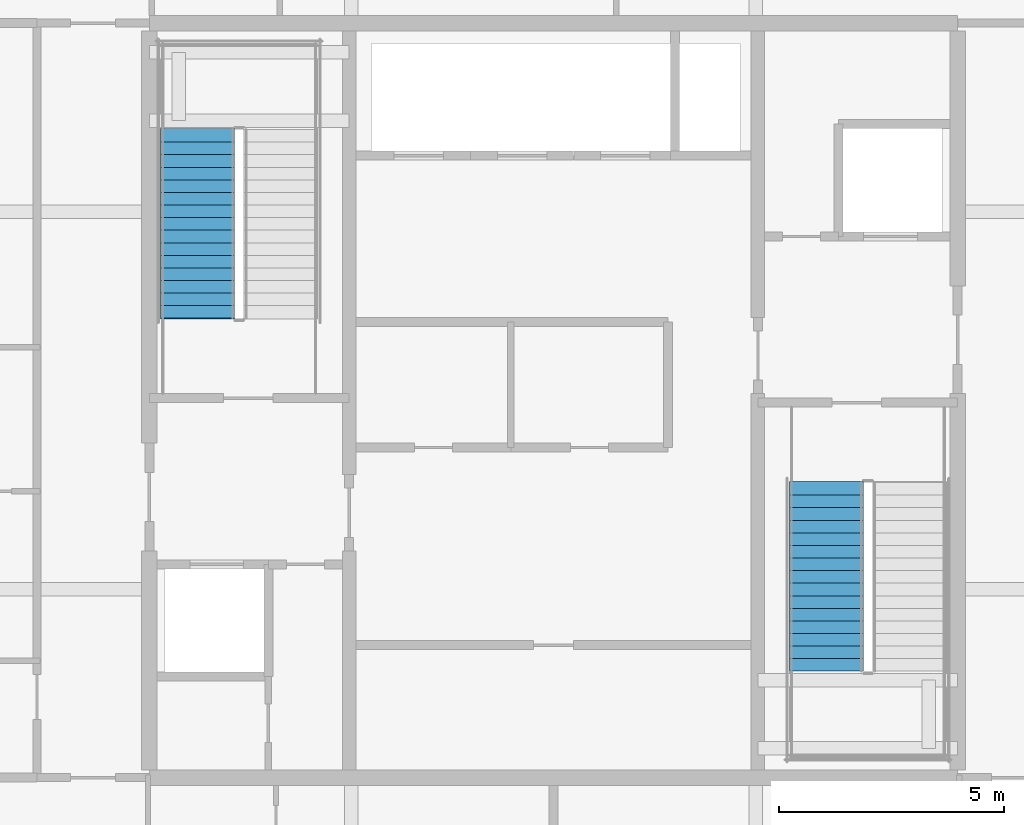
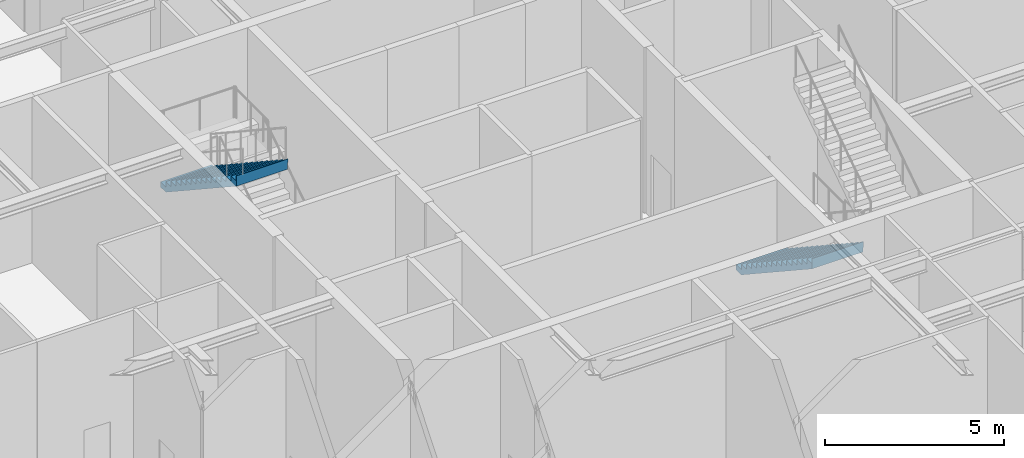
# One storey, part 32 of 40: 2 stair flights, 2 elements without a shape of their own.
"""IFC4 building model written with IfcOpenShell, lengths in metres."""

from ifc_helpers import new_model, si_unit, direction, frame, origin, place, context, subcontext, project, spatial, polygons, material, type_object, element, aggregate, save


model = new_model("IFC4")

# Units and contexts
model_context = context("Model", 3, precision=1e-05, world=origin(), true_north=direction((0.0, 1.0)))
body_context = subcontext(model_context, "Body", "Model", "MODEL_VIEW")
ifc_project = project(units=[si_unit("LENGTHUNIT", "METRE"), si_unit("AREAUNIT", "SQUARE_METRE"), si_unit("VOLUMEUNIT", "CUBIC_METRE"), si_unit("PLANEANGLEUNIT", "RADIAN"), si_unit("MASSUNIT", "GRAM", prefix="KILO")], contexts=[model_context])

# Site, building, storey
site_placement = place(None, origin())
site = spatial("IfcSite", under=ifc_project, at=site_placement, CompositionType="ELEMENT")
building_placement = place(site_placement, origin())
building = spatial("IfcBuilding", under=site, at=building_placement, Name="Serunith Strait Residences", CompositionType="ELEMENT")
storey_placement = place(building_placement, frame((0.0, 0.0, 347.949951171875)))
storey = spatial("IfcBuildingStorey", under=building, at=storey_placement, Name="L86", CompositionType="ELEMENT", Elevation=347.949951171875)

# Stair, stair flight
ifc_material = material(Name="Concrete C50/60", Category="concrete")
stair_type_1 = type_object("IfcStairType", Name="STR-CORE-1", PredefinedType="HALF_TURN_STAIR", material=ifc_material)
stair_1_placement = place(storey_placement, origin())
stair_1 = element("IfcStair", 1, at=stair_1_placement, inside=storey, type_object=stair_type_1, Name="L86 Protected Escape Stair ST-1", PredefinedType="HALF_TURN_STAIR")
stair_flight_type_1 = type_object("IfcStairFlightType", Name="FLT-CORE-1", PredefinedType="STRAIGHT", material=ifc_material)
stair_flight_1_placement = place(storey_placement, frame((24.47509765625, 31.22998046875, 2.949951171875), z_axis=(0.0, 0.0, 1.0), x_axis=(0.0, -1.0, 0.0)))
stair_flight_1 = element("IfcStairFlight", 2, at=stair_flight_1_placement, type_object=stair_flight_type_1, Name="ST-1 flight 2", NumberOfRisers=16, NumberOfTreads=15, PredefinedType="STRAIGHT", RiserHeight=0.184375, TreadLength=0.28, context=body_context, shape_type="Tessellation", body=[
    polygons([(-0.02001953125, -0.824951171875, 0.0), (-0.02001953125, -0.824951171875, 0.184326171875), (0.280029296875, -0.824951171875, 0.184326171875), (0.280029296875, -0.824951171875, 0.36865234375), (0.56005859375, -0.824951171875, 0.36865234375), (0.56005859375, -0.824951171875, 0.55322265625), (0.840087890625, -0.824951171875, 0.55322265625), (0.840087890625, -0.824951171875, 0.737548828125), (1.1201171875, -0.824951171875, 0.737548828125), (1.1201171875, -0.824951171875, 0.921875), (1.39990234375, -0.824951171875, 0.921875), (1.39990234375, -0.824951171875, 1.106201171875), (1.679931640625, -0.824951171875, 1.106201171875), (1.679931640625, -0.824951171875, 1.29052734375), (1.9599609375, -0.824951171875, 1.29052734375), (1.9599609375, -0.824951171875, 1.47509765625), (2.239990234375, -0.824951171875, 1.47509765625), (2.239990234375, -0.824951171875, 1.659423828125), (2.52001953125, -0.824951171875, 1.659423828125), (2.52001953125, -0.824951171875, 1.84375), (2.800048828125, -0.824951171875, 1.84375), (2.800048828125, -0.824951171875, 2.028076171875), (3.080078125, -0.824951171875, 2.028076171875), (3.080078125, -0.824951171875, 2.21240234375), (3.360107421875, -0.824951171875, 2.21240234375), (3.360107421875, -0.824951171875, 2.39697265625), (3.639892578125, -0.824951171875, 2.39697265625), (3.639892578125, -0.824951171875, 2.581298828125), (3.919921875, -0.824951171875, 2.581298828125), (3.919921875, -0.824951171875, 2.765625), (4.199951171875, -0.824951171875, 2.765625), (4.199951171875, -0.824951171875, 2.949951171875), (4.219970703125, -0.824951171875, 2.949951171875), (4.219970703125, -0.824951171875, 2.889892578125), (4.199951171875, -0.824951171875, 2.586181640625), (0.2724609375, -0.824951171875, 0.0), (-0.02001953125, -0.41259765625, 0.0), (-0.02001953125, -0.41259765625, 0.184326171875), (0.280029296875, -0.41259765625, 0.184326171875), (0.280029296875, -0.41259765625, 0.36865234375), (0.56005859375, -0.41259765625, 0.36865234375), (0.56005859375, -0.41259765625, 0.55322265625), (0.840087890625, -0.41259765625, 0.55322265625), (0.840087890625, -0.41259765625, 0.737548828125), (1.1201171875, -0.41259765625, 0.737548828125), (1.1201171875, -0.41259765625, 0.921875), (1.39990234375, -0.41259765625, 0.921875), (1.39990234375, -0.41259765625, 1.106201171875), (1.679931640625, -0.41259765625, 1.106201171875), (1.679931640625, -0.41259765625, 1.29052734375), (1.9599609375, -0.41259765625, 1.29052734375), (1.9599609375, -0.41259765625, 1.47509765625), (2.239990234375, -0.41259765625, 1.47509765625), (2.239990234375, -0.41259765625, 1.659423828125), (2.52001953125, -0.41259765625, 1.659423828125), (2.52001953125, -0.41259765625, 1.84375), (2.800048828125, -0.41259765625, 1.84375), (2.800048828125, -0.41259765625, 2.028076171875), (3.080078125, -0.41259765625, 2.028076171875), (3.080078125, -0.41259765625, 2.21240234375), (3.360107421875, -0.41259765625, 2.21240234375), (3.360107421875, -0.41259765625, 2.39697265625), (3.639892578125, -0.41259765625, 2.39697265625), (3.639892578125, -0.41259765625, 2.581298828125), (3.919921875, -0.41259765625, 2.581298828125), (3.919921875, -0.41259765625, 2.765625), (4.199951171875, -0.41259765625, 2.765625), (4.199951171875, -0.41259765625, 2.949951171875), (4.219970703125, -0.41259765625, 2.949951171875), (4.219970703125, -0.41259765625, 2.889892578125), (4.199951171875, -0.41259765625, 2.586181640625), (0.2724609375, -0.41259765625, 0.0), (-0.02001953125, 0.0, 0.0), (-0.02001953125, 0.0, 0.184326171875), (0.280029296875, 0.0, 0.184326171875), (0.280029296875, 0.0, 0.36865234375), (0.56005859375, 0.0, 0.36865234375), (0.56005859375, 0.0, 0.55322265625), (0.840087890625, 0.0, 0.55322265625), (0.840087890625, 0.0, 0.737548828125), (1.1201171875, 0.0, 0.737548828125), (1.1201171875, 0.0, 0.921875), (1.39990234375, 0.0, 0.921875), (1.39990234375, 0.0, 1.106201171875), (1.679931640625, 0.0, 1.106201171875), (1.679931640625, 0.0, 1.29052734375), (1.9599609375, 0.0, 1.29052734375), (1.9599609375, 0.0, 1.47509765625), (2.239990234375, 0.0, 1.47509765625), (2.239990234375, 0.0, 1.659423828125), (2.52001953125, 0.0, 1.659423828125), (2.52001953125, 0.0, 1.84375), (2.800048828125, 0.0, 1.84375), (2.800048828125, 0.0, 2.028076171875), (3.080078125, 0.0, 2.028076171875), (3.080078125, 0.0, 2.21240234375), (3.360107421875, 0.0, 2.21240234375), (3.360107421875, 0.0, 2.39697265625), (3.639892578125, 0.0, 2.39697265625), (3.639892578125, 0.0, 2.581298828125), (3.919921875, 0.0, 2.581298828125), (3.919921875, 0.0, 2.765625), (4.199951171875, 0.0, 2.765625), (4.199951171875, 0.0, 2.949951171875), (4.219970703125, 0.0, 2.949951171875), (4.219970703125, 0.0, 2.889892578125), (4.199951171875, 0.0, 2.586181640625), (0.2724609375, 0.0, 0.0), (-0.02001953125, 0.41259765625, 0.0), (-0.02001953125, 0.41259765625, 0.184326171875), (0.280029296875, 0.41259765625, 0.184326171875), (0.280029296875, 0.41259765625, 0.36865234375), (0.56005859375, 0.41259765625, 0.36865234375), (0.56005859375, 0.41259765625, 0.55322265625), (0.840087890625, 0.41259765625, 0.55322265625), (0.840087890625, 0.41259765625, 0.737548828125), (1.1201171875, 0.41259765625, 0.737548828125), (1.1201171875, 0.41259765625, 0.921875), (1.39990234375, 0.41259765625, 0.921875), (1.39990234375, 0.41259765625, 1.106201171875), (1.679931640625, 0.41259765625, 1.106201171875), (1.679931640625, 0.41259765625, 1.29052734375), (1.9599609375, 0.41259765625, 1.29052734375), (1.9599609375, 0.41259765625, 1.47509765625), (2.239990234375, 0.41259765625, 1.47509765625), (2.239990234375, 0.41259765625, 1.659423828125), (2.52001953125, 0.41259765625, 1.659423828125), (2.52001953125, 0.41259765625, 1.84375), (2.800048828125, 0.41259765625, 1.84375), (2.800048828125, 0.41259765625, 2.028076171875), (3.080078125, 0.41259765625, 2.028076171875), (3.080078125, 0.41259765625, 2.21240234375), (3.360107421875, 0.41259765625, 2.21240234375), (3.360107421875, 0.41259765625, 2.39697265625), (3.639892578125, 0.41259765625, 2.39697265625), (3.639892578125, 0.41259765625, 2.581298828125), (3.919921875, 0.41259765625, 2.581298828125), (3.919921875, 0.41259765625, 2.765625), (4.199951171875, 0.41259765625, 2.765625), (4.199951171875, 0.41259765625, 2.949951171875), (4.219970703125, 0.41259765625, 2.949951171875), (4.219970703125, 0.41259765625, 2.889892578125), (4.199951171875, 0.41259765625, 2.586181640625), (0.2724609375, 0.41259765625, 0.0), (-0.02001953125, 0.824951171875, 0.0), (-0.02001953125, 0.824951171875, 0.184326171875), (0.280029296875, 0.824951171875, 0.184326171875), (0.280029296875, 0.824951171875, 0.36865234375), (0.56005859375, 0.824951171875, 0.36865234375), (0.56005859375, 0.824951171875, 0.55322265625), (0.840087890625, 0.824951171875, 0.55322265625), (0.840087890625, 0.824951171875, 0.737548828125), (1.1201171875, 0.824951171875, 0.737548828125), (1.1201171875, 0.824951171875, 0.921875), (1.39990234375, 0.824951171875, 0.921875), (1.39990234375, 0.824951171875, 1.106201171875), (1.679931640625, 0.824951171875, 1.106201171875), (1.679931640625, 0.824951171875, 1.29052734375), (1.9599609375, 0.824951171875, 1.29052734375), (1.9599609375, 0.824951171875, 1.47509765625), (2.239990234375, 0.824951171875, 1.47509765625), (2.239990234375, 0.824951171875, 1.659423828125), (2.52001953125, 0.824951171875, 1.659423828125), (2.52001953125, 0.824951171875, 1.84375), (2.800048828125, 0.824951171875, 1.84375), (2.800048828125, 0.824951171875, 2.028076171875), (3.080078125, 0.824951171875, 2.028076171875), (3.080078125, 0.824951171875, 2.21240234375), (3.360107421875, 0.824951171875, 2.21240234375), (3.360107421875, 0.824951171875, 2.39697265625), (3.639892578125, 0.824951171875, 2.39697265625), (3.639892578125, 0.824951171875, 2.581298828125), (3.919921875, 0.824951171875, 2.581298828125), (3.919921875, 0.824951171875, 2.765625), (4.199951171875, 0.824951171875, 2.765625), (4.199951171875, 0.824951171875, 2.949951171875), (4.219970703125, 0.824951171875, 2.949951171875), (4.219970703125, 0.824951171875, 2.889892578125), (4.199951171875, 0.824951171875, 2.586181640625), (0.2724609375, 0.824951171875, 0.0)], [[[1, 2, 38, 37]], [[2, 3, 39, 38]], [[3, 4, 40, 39]], [[4, 5, 41, 40]], [[5, 6, 42, 41]], [[6, 7, 43, 42]], [[7, 8, 44, 43]], [[8, 9, 45, 44]], [[9, 10, 46, 45]], [[10, 11, 47, 46]], [[11, 12, 48, 47]], [[12, 13, 49, 48]], [[13, 14, 50, 49]], [[14, 15, 51, 50]], [[15, 16, 52, 51]], [[16, 17, 53, 52]], [[17, 18, 54, 53]], [[18, 19, 55, 54]], [[19, 20, 56, 55]], [[20, 21, 57, 56]], [[21, 22, 58, 57]], [[22, 23, 59, 58]], [[23, 24, 60, 59]], [[24, 25, 61, 60]], [[25, 26, 62, 61]], [[26, 27, 63, 62]], [[27, 28, 64, 63]], [[28, 29, 65, 64]], [[29, 30, 66, 65]], [[30, 31, 67, 66]], [[31, 32, 68, 67]], [[32, 33, 69, 68]], [[33, 34, 70, 69]], [[34, 35, 71, 70]], [[35, 36, 72, 71]], [[36, 1, 37, 72]], [[37, 38, 74, 73]], [[38, 39, 75, 74]], [[39, 40, 76, 75]], [[40, 41, 77, 76]], [[41, 42, 78, 77]], [[42, 43, 79, 78]], [[43, 44, 80, 79]], [[44, 45, 81, 80]], [[45, 46, 82, 81]], [[46, 47, 83, 82]], [[47, 48, 84, 83]], [[48, 49, 85, 84]], [[49, 50, 86, 85]], [[50, 51, 87, 86]], [[51, 52, 88, 87]], [[52, 53, 89, 88]], [[53, 54, 90, 89]], [[54, 55, 91, 90]], [[55, 56, 92, 91]], [[56, 57, 93, 92]], [[57, 58, 94, 93]], [[58, 59, 95, 94]], [[59, 60, 96, 95]], [[60, 61, 97, 96]], [[61, 62, 98, 97]], [[62, 63, 99, 98]], [[63, 64, 100, 99]], [[64, 65, 101, 100]], [[65, 66, 102, 101]], [[66, 67, 103, 102]], [[67, 68, 104, 103]], [[68, 69, 105, 104]], [[69, 70, 106, 105]], [[70, 71, 107, 106]], [[71, 72, 108, 107]], [[72, 37, 73, 108]], [[73, 74, 110, 109]], [[74, 75, 111, 110]], [[75, 76, 112, 111]], [[76, 77, 113, 112]], [[77, 78, 114, 113]], [[78, 79, 115, 114]], [[79, 80, 116, 115]], [[80, 81, 117, 116]], [[81, 82, 118, 117]], [[82, 83, 119, 118]], [[83, 84, 120, 119]], [[84, 85, 121, 120]], [[85, 86, 122, 121]], [[86, 87, 123, 122]], [[87, 88, 124, 123]], [[88, 89, 125, 124]], [[89, 90, 126, 125]], [[90, 91, 127, 126]], [[91, 92, 128, 127]], [[92, 93, 129, 128]], [[93, 94, 130, 129]], [[94, 95, 131, 130]], [[95, 96, 132, 131]], [[96, 97, 133, 132]], [[97, 98, 134, 133]], [[98, 99, 135, 134]], [[99, 100, 136, 135]], [[100, 101, 137, 136]], [[101, 102, 138, 137]], [[102, 103, 139, 138]], [[103, 104, 140, 139]], [[104, 105, 141, 140]], [[105, 106, 142, 141]], [[106, 107, 143, 142]], [[107, 108, 144, 143]], [[108, 73, 109, 144]], [[109, 110, 146, 145]], [[110, 111, 147, 146]], [[111, 112, 148, 147]], [[112, 113, 149, 148]], [[113, 114, 150, 149]], [[114, 115, 151, 150]], [[115, 116, 152, 151]], [[116, 117, 153, 152]], [[117, 118, 154, 153]], [[118, 119, 155, 154]], [[119, 120, 156, 155]], [[120, 121, 157, 156]], [[121, 122, 158, 157]], [[122, 123, 159, 158]], [[123, 124, 160, 159]], [[124, 125, 161, 160]], [[125, 126, 162, 161]], [[126, 127, 163, 162]], [[127, 128, 164, 163]], [[128, 129, 165, 164]], [[129, 130, 166, 165]], [[130, 131, 167, 166]], [[131, 132, 168, 167]], [[132, 133, 169, 168]], [[133, 134, 170, 169]], [[134, 135, 171, 170]], [[135, 136, 172, 171]], [[136, 137, 173, 172]], [[137, 138, 174, 173]], [[138, 139, 175, 174]], [[139, 140, 176, 175]], [[140, 141, 177, 176]], [[141, 142, 178, 177]], [[142, 143, 179, 178]], [[143, 144, 180, 179]], [[144, 109, 145, 180]], [[36, 35, 34, 33, 32, 31, 30, 29, 28, 27, 26, 25, 24, 23, 22, 21, 20, 19, 18, 17, 16, 15, 14, 13, 12, 11, 10, 9, 8, 7, 6, 5, 4, 3, 2, 1]], [[145, 146, 147, 148, 149, 150, 151, 152, 153, 154, 155, 156, 157, 158, 159, 160, 161, 162, 163, 164, 165, 166, 167, 168, 169, 170, 171, 172, 173, 174, 175, 176, 177, 178, 179, 180]]], closed=True),
])
aggregate(stair_1, [stair_flight_1])

stair_type_2 = type_object("IfcStairType", Name="STR-CORE-2", PredefinedType="HALF_TURN_STAIR", material=ifc_material)
stair_2_placement = place(storey_placement, origin())
stair_2 = element("IfcStair", 3, at=stair_2_placement, inside=storey, type_object=stair_type_2, Name="L86 Protected Escape Stair ST-2", PredefinedType="HALF_TURN_STAIR")
stair_flight_type_2 = type_object("IfcStairFlightType", Name="FLT-CORE-2", PredefinedType="STRAIGHT", material=ifc_material)
stair_flight_2_placement = place(storey_placement, frame((38.47509765625, 23.3701171875, 0.0), z_axis=(0.0, 0.0, 1.0), x_axis=(0.0, -1.0, 0.0)))
stair_flight_2 = element("IfcStairFlight", 4, at=stair_flight_2_placement, type_object=stair_flight_type_2, Name="ST-2 flight 1", NumberOfRisers=16, NumberOfTreads=15, PredefinedType="STRAIGHT", RiserHeight=0.184375, TreadLength=0.28, context=body_context, shape_type="Tessellation", body=[
    polygons([(-0.02001953125, -0.824951171875, 0.0), (-0.02001953125, -0.824951171875, 0.184326171875), (0.280029296875, -0.824951171875, 0.184326171875), (0.280029296875, -0.824951171875, 0.36865234375), (0.56005859375, -0.824951171875, 0.36865234375), (0.56005859375, -0.824951171875, 0.55322265625), (0.840087890625, -0.824951171875, 0.55322265625), (0.840087890625, -0.824951171875, 0.737548828125), (1.1201171875, -0.824951171875, 0.737548828125), (1.1201171875, -0.824951171875, 0.921875), (1.39990234375, -0.824951171875, 0.921875), (1.39990234375, -0.824951171875, 1.106201171875), (1.679931640625, -0.824951171875, 1.106201171875), (1.679931640625, -0.824951171875, 1.29052734375), (1.9599609375, -0.824951171875, 1.29052734375), (1.9599609375, -0.824951171875, 1.47509765625), (2.239990234375, -0.824951171875, 1.47509765625), (2.239990234375, -0.824951171875, 1.659423828125), (2.52001953125, -0.824951171875, 1.659423828125), (2.52001953125, -0.824951171875, 1.84375), (2.800048828125, -0.824951171875, 1.84375), (2.800048828125, -0.824951171875, 2.028076171875), (3.080078125, -0.824951171875, 2.028076171875), (3.080078125, -0.824951171875, 2.21240234375), (3.360107421875, -0.824951171875, 2.21240234375), (3.360107421875, -0.824951171875, 2.39697265625), (3.639892578125, -0.824951171875, 2.39697265625), (3.639892578125, -0.824951171875, 2.581298828125), (3.919921875, -0.824951171875, 2.581298828125), (3.919921875, -0.824951171875, 2.765625), (4.199951171875, -0.824951171875, 2.765625), (4.199951171875, -0.824951171875, 2.949951171875), (4.219970703125, -0.824951171875, 2.949951171875), (4.219970703125, -0.824951171875, 2.889892578125), (4.199951171875, -0.824951171875, 2.586181640625), (0.2724609375, -0.824951171875, 0.0), (-0.02001953125, -0.41259765625, 0.0), (-0.02001953125, -0.41259765625, 0.184326171875), (0.280029296875, -0.41259765625, 0.184326171875), (0.280029296875, -0.41259765625, 0.36865234375), (0.56005859375, -0.41259765625, 0.36865234375), (0.56005859375, -0.41259765625, 0.55322265625), (0.840087890625, -0.41259765625, 0.55322265625), (0.840087890625, -0.41259765625, 0.737548828125), (1.1201171875, -0.41259765625, 0.737548828125), (1.1201171875, -0.41259765625, 0.921875), (1.39990234375, -0.41259765625, 0.921875), (1.39990234375, -0.41259765625, 1.106201171875), (1.679931640625, -0.41259765625, 1.106201171875), (1.679931640625, -0.41259765625, 1.29052734375), (1.9599609375, -0.41259765625, 1.29052734375), (1.9599609375, -0.41259765625, 1.47509765625), (2.239990234375, -0.41259765625, 1.47509765625), (2.239990234375, -0.41259765625, 1.659423828125), (2.52001953125, -0.41259765625, 1.659423828125), (2.52001953125, -0.41259765625, 1.84375), (2.800048828125, -0.41259765625, 1.84375), (2.800048828125, -0.41259765625, 2.028076171875), (3.080078125, -0.41259765625, 2.028076171875), (3.080078125, -0.41259765625, 2.21240234375), (3.360107421875, -0.41259765625, 2.21240234375), (3.360107421875, -0.41259765625, 2.39697265625), (3.639892578125, -0.41259765625, 2.39697265625), (3.639892578125, -0.41259765625, 2.581298828125), (3.919921875, -0.41259765625, 2.581298828125), (3.919921875, -0.41259765625, 2.765625), (4.199951171875, -0.41259765625, 2.765625), (4.199951171875, -0.41259765625, 2.949951171875), (4.219970703125, -0.41259765625, 2.949951171875), (4.219970703125, -0.41259765625, 2.889892578125), (4.199951171875, -0.41259765625, 2.586181640625), (0.2724609375, -0.41259765625, 0.0), (-0.02001953125, 0.0, 0.0), (-0.02001953125, 0.0, 0.184326171875), (0.280029296875, 0.0, 0.184326171875), (0.280029296875, 0.0, 0.36865234375), (0.56005859375, 0.0, 0.36865234375), (0.56005859375, 0.0, 0.55322265625), (0.840087890625, 0.0, 0.55322265625), (0.840087890625, 0.0, 0.737548828125), (1.1201171875, 0.0, 0.737548828125), (1.1201171875, 0.0, 0.921875), (1.39990234375, 0.0, 0.921875), (1.39990234375, 0.0, 1.106201171875), (1.679931640625, 0.0, 1.106201171875), (1.679931640625, 0.0, 1.29052734375), (1.9599609375, 0.0, 1.29052734375), (1.9599609375, 0.0, 1.47509765625), (2.239990234375, 0.0, 1.47509765625), (2.239990234375, 0.0, 1.659423828125), (2.52001953125, 0.0, 1.659423828125), (2.52001953125, 0.0, 1.84375), (2.800048828125, 0.0, 1.84375), (2.800048828125, 0.0, 2.028076171875), (3.080078125, 0.0, 2.028076171875), (3.080078125, 0.0, 2.21240234375), (3.360107421875, 0.0, 2.21240234375), (3.360107421875, 0.0, 2.39697265625), (3.639892578125, 0.0, 2.39697265625), (3.639892578125, 0.0, 2.581298828125), (3.919921875, 0.0, 2.581298828125), (3.919921875, 0.0, 2.765625), (4.199951171875, 0.0, 2.765625), (4.199951171875, 0.0, 2.949951171875), (4.219970703125, 0.0, 2.949951171875), (4.219970703125, 0.0, 2.889892578125), (4.199951171875, 0.0, 2.586181640625), (0.2724609375, 0.0, 0.0), (-0.02001953125, 0.41259765625, 0.0), (-0.02001953125, 0.41259765625, 0.184326171875), (0.280029296875, 0.41259765625, 0.184326171875), (0.280029296875, 0.41259765625, 0.36865234375), (0.56005859375, 0.41259765625, 0.36865234375), (0.56005859375, 0.41259765625, 0.55322265625), (0.840087890625, 0.41259765625, 0.55322265625), (0.840087890625, 0.41259765625, 0.737548828125), (1.1201171875, 0.41259765625, 0.737548828125), (1.1201171875, 0.41259765625, 0.921875), (1.39990234375, 0.41259765625, 0.921875), (1.39990234375, 0.41259765625, 1.106201171875), (1.679931640625, 0.41259765625, 1.106201171875), (1.679931640625, 0.41259765625, 1.29052734375), (1.9599609375, 0.41259765625, 1.29052734375), (1.9599609375, 0.41259765625, 1.47509765625), (2.239990234375, 0.41259765625, 1.47509765625), (2.239990234375, 0.41259765625, 1.659423828125), (2.52001953125, 0.41259765625, 1.659423828125), (2.52001953125, 0.41259765625, 1.84375), (2.800048828125, 0.41259765625, 1.84375), (2.800048828125, 0.41259765625, 2.028076171875), (3.080078125, 0.41259765625, 2.028076171875), (3.080078125, 0.41259765625, 2.21240234375), (3.360107421875, 0.41259765625, 2.21240234375), (3.360107421875, 0.41259765625, 2.39697265625), (3.639892578125, 0.41259765625, 2.39697265625), (3.639892578125, 0.41259765625, 2.581298828125), (3.919921875, 0.41259765625, 2.581298828125), (3.919921875, 0.41259765625, 2.765625), (4.199951171875, 0.41259765625, 2.765625), (4.199951171875, 0.41259765625, 2.949951171875), (4.219970703125, 0.41259765625, 2.949951171875), (4.219970703125, 0.41259765625, 2.889892578125), (4.199951171875, 0.41259765625, 2.586181640625), (0.2724609375, 0.41259765625, 0.0), (-0.02001953125, 0.824951171875, 0.0), (-0.02001953125, 0.824951171875, 0.184326171875), (0.280029296875, 0.824951171875, 0.184326171875), (0.280029296875, 0.824951171875, 0.36865234375), (0.56005859375, 0.824951171875, 0.36865234375), (0.56005859375, 0.824951171875, 0.55322265625), (0.840087890625, 0.824951171875, 0.55322265625), (0.840087890625, 0.824951171875, 0.737548828125), (1.1201171875, 0.824951171875, 0.737548828125), (1.1201171875, 0.824951171875, 0.921875), (1.39990234375, 0.824951171875, 0.921875), (1.39990234375, 0.824951171875, 1.106201171875), (1.679931640625, 0.824951171875, 1.106201171875), (1.679931640625, 0.824951171875, 1.29052734375), (1.9599609375, 0.824951171875, 1.29052734375), (1.9599609375, 0.824951171875, 1.47509765625), (2.239990234375, 0.824951171875, 1.47509765625), (2.239990234375, 0.824951171875, 1.659423828125), (2.52001953125, 0.824951171875, 1.659423828125), (2.52001953125, 0.824951171875, 1.84375), (2.800048828125, 0.824951171875, 1.84375), (2.800048828125, 0.824951171875, 2.028076171875), (3.080078125, 0.824951171875, 2.028076171875), (3.080078125, 0.824951171875, 2.21240234375), (3.360107421875, 0.824951171875, 2.21240234375), (3.360107421875, 0.824951171875, 2.39697265625), (3.639892578125, 0.824951171875, 2.39697265625), (3.639892578125, 0.824951171875, 2.581298828125), (3.919921875, 0.824951171875, 2.581298828125), (3.919921875, 0.824951171875, 2.765625), (4.199951171875, 0.824951171875, 2.765625), (4.199951171875, 0.824951171875, 2.949951171875), (4.219970703125, 0.824951171875, 2.949951171875), (4.219970703125, 0.824951171875, 2.889892578125), (4.199951171875, 0.824951171875, 2.586181640625), (0.2724609375, 0.824951171875, 0.0)], [[[1, 2, 38, 37]], [[2, 3, 39, 38]], [[3, 4, 40, 39]], [[4, 5, 41, 40]], [[5, 6, 42, 41]], [[6, 7, 43, 42]], [[7, 8, 44, 43]], [[8, 9, 45, 44]], [[9, 10, 46, 45]], [[10, 11, 47, 46]], [[11, 12, 48, 47]], [[12, 13, 49, 48]], [[13, 14, 50, 49]], [[14, 15, 51, 50]], [[15, 16, 52, 51]], [[16, 17, 53, 52]], [[17, 18, 54, 53]], [[18, 19, 55, 54]], [[19, 20, 56, 55]], [[20, 21, 57, 56]], [[21, 22, 58, 57]], [[22, 23, 59, 58]], [[23, 24, 60, 59]], [[24, 25, 61, 60]], [[25, 26, 62, 61]], [[26, 27, 63, 62]], [[27, 28, 64, 63]], [[28, 29, 65, 64]], [[29, 30, 66, 65]], [[30, 31, 67, 66]], [[31, 32, 68, 67]], [[32, 33, 69, 68]], [[33, 34, 70, 69]], [[34, 35, 71, 70]], [[35, 36, 72, 71]], [[36, 1, 37, 72]], [[37, 38, 74, 73]], [[38, 39, 75, 74]], [[39, 40, 76, 75]], [[40, 41, 77, 76]], [[41, 42, 78, 77]], [[42, 43, 79, 78]], [[43, 44, 80, 79]], [[44, 45, 81, 80]], [[45, 46, 82, 81]], [[46, 47, 83, 82]], [[47, 48, 84, 83]], [[48, 49, 85, 84]], [[49, 50, 86, 85]], [[50, 51, 87, 86]], [[51, 52, 88, 87]], [[52, 53, 89, 88]], [[53, 54, 90, 89]], [[54, 55, 91, 90]], [[55, 56, 92, 91]], [[56, 57, 93, 92]], [[57, 58, 94, 93]], [[58, 59, 95, 94]], [[59, 60, 96, 95]], [[60, 61, 97, 96]], [[61, 62, 98, 97]], [[62, 63, 99, 98]], [[63, 64, 100, 99]], [[64, 65, 101, 100]], [[65, 66, 102, 101]], [[66, 67, 103, 102]], [[67, 68, 104, 103]], [[68, 69, 105, 104]], [[69, 70, 106, 105]], [[70, 71, 107, 106]], [[71, 72, 108, 107]], [[72, 37, 73, 108]], [[73, 74, 110, 109]], [[74, 75, 111, 110]], [[75, 76, 112, 111]], [[76, 77, 113, 112]], [[77, 78, 114, 113]], [[78, 79, 115, 114]], [[79, 80, 116, 115]], [[80, 81, 117, 116]], [[81, 82, 118, 117]], [[82, 83, 119, 118]], [[83, 84, 120, 119]], [[84, 85, 121, 120]], [[85, 86, 122, 121]], [[86, 87, 123, 122]], [[87, 88, 124, 123]], [[88, 89, 125, 124]], [[89, 90, 126, 125]], [[90, 91, 127, 126]], [[91, 92, 128, 127]], [[92, 93, 129, 128]], [[93, 94, 130, 129]], [[94, 95, 131, 130]], [[95, 96, 132, 131]], [[96, 97, 133, 132]], [[97, 98, 134, 133]], [[98, 99, 135, 134]], [[99, 100, 136, 135]], [[100, 101, 137, 136]], [[101, 102, 138, 137]], [[102, 103, 139, 138]], [[103, 104, 140, 139]], [[104, 105, 141, 140]], [[105, 106, 142, 141]], [[106, 107, 143, 142]], [[107, 108, 144, 143]], [[108, 73, 109, 144]], [[109, 110, 146, 145]], [[110, 111, 147, 146]], [[111, 112, 148, 147]], [[112, 113, 149, 148]], [[113, 114, 150, 149]], [[114, 115, 151, 150]], [[115, 116, 152, 151]], [[116, 117, 153, 152]], [[117, 118, 154, 153]], [[118, 119, 155, 154]], [[119, 120, 156, 155]], [[120, 121, 157, 156]], [[121, 122, 158, 157]], [[122, 123, 159, 158]], [[123, 124, 160, 159]], [[124, 125, 161, 160]], [[125, 126, 162, 161]], [[126, 127, 163, 162]], [[127, 128, 164, 163]], [[128, 129, 165, 164]], [[129, 130, 166, 165]], [[130, 131, 167, 166]], [[131, 132, 168, 167]], [[132, 133, 169, 168]], [[133, 134, 170, 169]], [[134, 135, 171, 170]], [[135, 136, 172, 171]], [[136, 137, 173, 172]], [[137, 138, 174, 173]], [[138, 139, 175, 174]], [[139, 140, 176, 175]], [[140, 141, 177, 176]], [[141, 142, 178, 177]], [[142, 143, 179, 178]], [[143, 144, 180, 179]], [[144, 109, 145, 180]], [[36, 35, 34, 33, 32, 31, 30, 29, 28, 27, 26, 25, 24, 23, 22, 21, 20, 19, 18, 17, 16, 15, 14, 13, 12, 11, 10, 9, 8, 7, 6, 5, 4, 3, 2, 1]], [[145, 146, 147, 148, 149, 150, 151, 152, 153, 154, 155, 156, 157, 158, 159, 160, 161, 162, 163, 164, 165, 166, 167, 168, 169, 170, 171, 172, 173, 174, 175, 176, 177, 178, 179, 180]]], closed=True),
])
aggregate(stair_2, [stair_flight_2])

save(model, "model.ifc")
